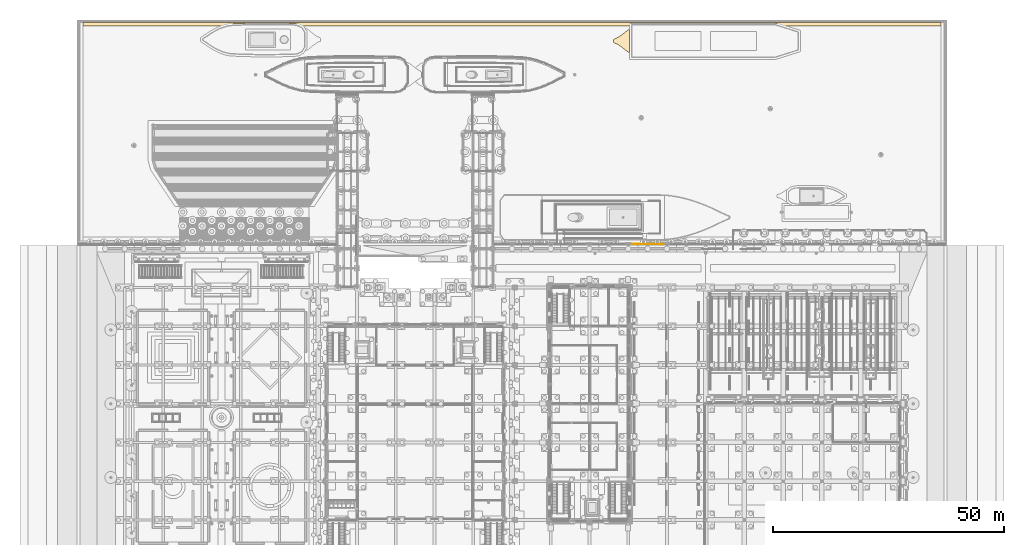
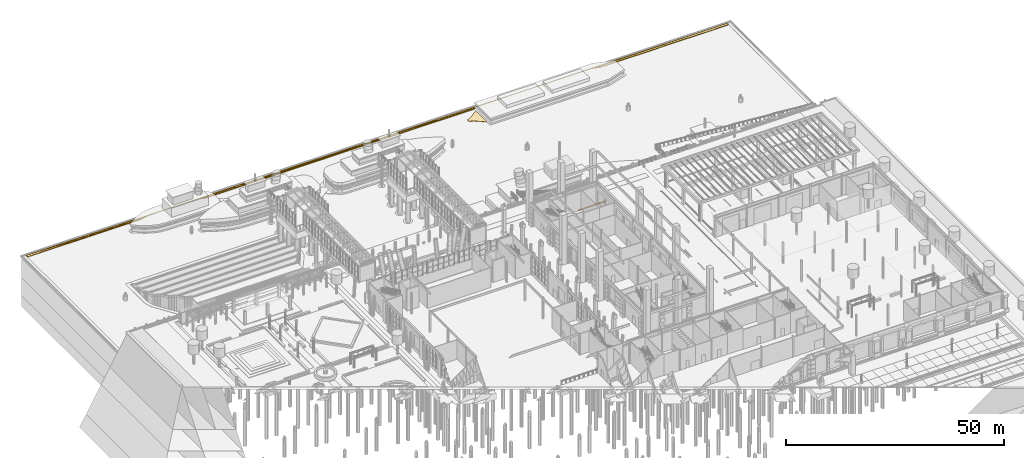
# One storey, part 197 of 222: 3 coverings.
"""IFC4 building model written with IfcOpenShell, lengths in metres."""

from ifc_helpers import new_model, si_unit, direction, frame, origin, place, context, subcontext, project, spatial, polyline, outline, extrude, material, layer, layer_set, type_object, element, save


model = new_model("IFC4")

# Units and contexts
model_context = context("Model", 3, precision=1e-05, world=origin(), true_north=direction((0.0, 1.0)))
body_context = subcontext(model_context, "Body", "Model", "MODEL_VIEW")
ifc_project = project(units=[si_unit("LENGTHUNIT", "METRE"), si_unit("AREAUNIT", "SQUARE_METRE"), si_unit("VOLUMEUNIT", "CUBIC_METRE"), si_unit("PLANEANGLEUNIT", "RADIAN"), si_unit("MASSUNIT", "GRAM", prefix="KILO")], contexts=[model_context])

# Site, building, storey
site_placement = place(None, origin())
site = spatial("IfcSite", under=ifc_project, at=site_placement, CompositionType="ELEMENT")
building_placement = place(site_placement, origin())
building = spatial("IfcBuilding", under=site, at=building_placement, Name="Sava Quay Ferry Terminal", CompositionType="ELEMENT")
storey_placement = place(building_placement, origin())
storey = spatial("IfcBuildingStorey", under=building, at=storey_placement, Name="L00", CompositionType="ELEMENT", Elevation=0.0)

# Coverings
ifc_material_1 = material(Name="Greenheart timber", Category="wood")
ifc_layer_1 = layer(ifc_material_1, 0.14990234375)
ifc_layer_set_1 = layer_set([ifc_layer_1], Name="Greenheart timber")
covering_type_1 = type_object("IfcCoveringType", Name="Fender rubbing strip 150", PredefinedType="CLADDING", material=ifc_layer_set_1)
covering_1_placement = place(storey_placement, frame((0.0, 0.0, -7.89990234375)))
element("IfcCovering", 1, at=covering_1_placement, inside=storey, type_object=covering_type_1, Name="Fender rubbing strip", PredefinedType="CLADDING", context=body_context, shape_type="SweptSolid", body=[
    extrude(outline(polyline([(109.81005859375, 118.550048828125), (116.989990234375, 118.550048828125), (116.989990234375, 118.699951171875), (109.81005859375, 118.699951171875), (109.81005859375, 118.550048828125)])), origin(), (0.0, 0.0, 1.0), 0.2998046875),
])
ifc_material_2 = material(Name="Water")
ifc_layer_2 = layer(ifc_material_2, 0.050048828125)
ifc_layer_set_2 = layer_set([ifc_layer_2], Name="Water")
covering_type_2 = type_object("IfcCoveringType", Name="River foam line", PredefinedType="CLADDING", material=ifc_layer_set_2)
covering_2_placement = place(storey_placement, frame((0.0, 0.0, -8.0)))
element("IfcCovering", 2, at=covering_2_placement, inside=storey, type_object=covering_type_2, Name="River foam line", PredefinedType="CLADDING", context=body_context, shape_type="SweptSolid", body=[
    extrude(outline(polyline([(142.89990234375, 165.955078125), (177.0, 165.955078125), (177.0, 166.655029296875), (-9.0, 166.655029296875), (-9.0, 165.955078125), (21.305908203125, 165.955078125), (21.8310546875, 166.1259765625), (21.861083984375, 166.134033203125), (22.697021484375, 166.31494140625), (22.73388671875, 166.321044921875), (23.58203125, 166.39501953125), (26.19091796875, 166.501953125), (28.79296875, 166.551025390625), (31.39990234375, 166.551025390625), (34.006103515625, 166.528076171875), (36.613037109375, 166.485107421875), (36.654052734375, 166.48095703125), (37.677978515625, 166.322998046875), (37.7099609375, 166.31689453125), (37.740966796875, 166.306884765625), (37.77001953125, 166.29296875), (38.419921875, 165.955078125), (109.6201171875, 165.955078125), (109.6201171875, 166.235107421875), (109.62109375, 166.263916015625), (109.6259765625, 166.2939453125), (109.633056640625, 166.322021484375), (109.64306640625, 166.35009765625), (109.655029296875, 166.3759765625), (109.6708984375, 166.402099609375), (109.68798828125, 166.425048828125), (109.7080078125, 166.447021484375), (109.72998046875, 166.467041015625), (109.7529296875, 166.48388671875), (109.779052734375, 166.5), (109.804931640625, 166.511962890625), (109.8330078125, 166.52197265625), (109.861083984375, 166.529052734375), (109.89111328125, 166.533935546875), (109.919921875, 166.534912109375), (141.011962890625, 166.534912109375), (141.0419921875, 166.532958984375), (141.072998046875, 166.529052734375), (141.10205078125, 166.52099609375), (142.89990234375, 165.955078125)])), origin(), (0.0, 0.0, 1.0), 0.050048828125),
])
ifc_material_3 = material(Name="Water")
ifc_layer_3 = layer(ifc_material_3, 0.0400390625)
ifc_layer_set_3 = layer_set([ifc_layer_3], Name="Water")
covering_type_3 = type_object("IfcCoveringType", Name="River wake foam", PredefinedType="CLADDING", material=ifc_layer_set_3)
covering_3_placement = place(storey_placement, frame((0.0, 0.0, -8.0)))
element("IfcCovering", 3, at=covering_3_placement, inside=storey, type_object=covering_type_3, Name="River wake foam", PredefinedType="CLADDING", context=body_context, shape_type="SweptSolid", body=[
    extrude(outline(polyline([(106.0, 162.98388671875), (106.0, 162.325927734375), (107.0, 161.87109375), (108.0, 161.172119140625), (109.0, 160.3740234375), (109.469970703125, 160.1298828125), (109.469970703125, 165.179931640625), (109.0, 164.93603515625), (108.0, 164.137939453125), (107.0, 163.43896484375), (106.0, 162.98388671875)])), origin(), (0.0, 0.0, 1.0), 0.0400390625),
])

save(model, "model.ifc")
